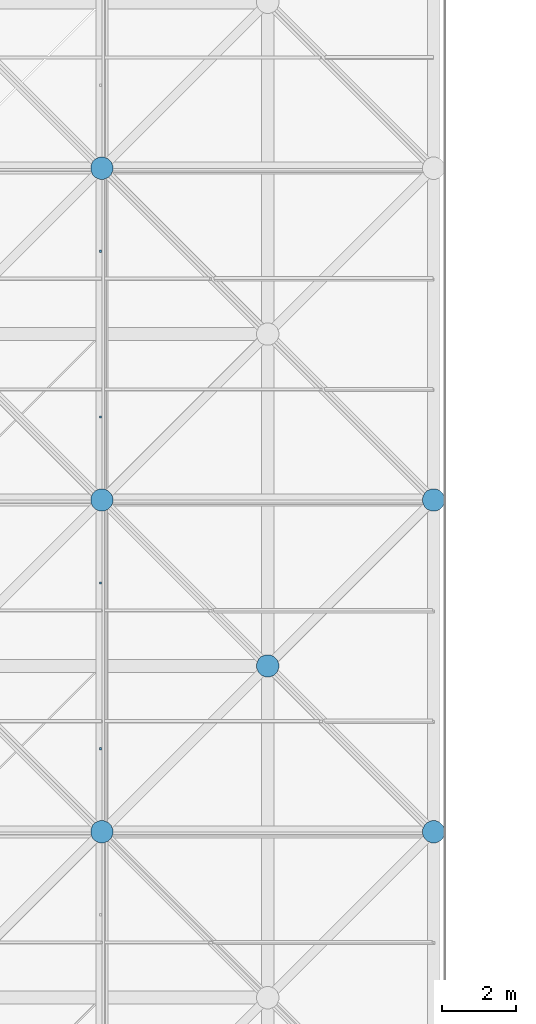
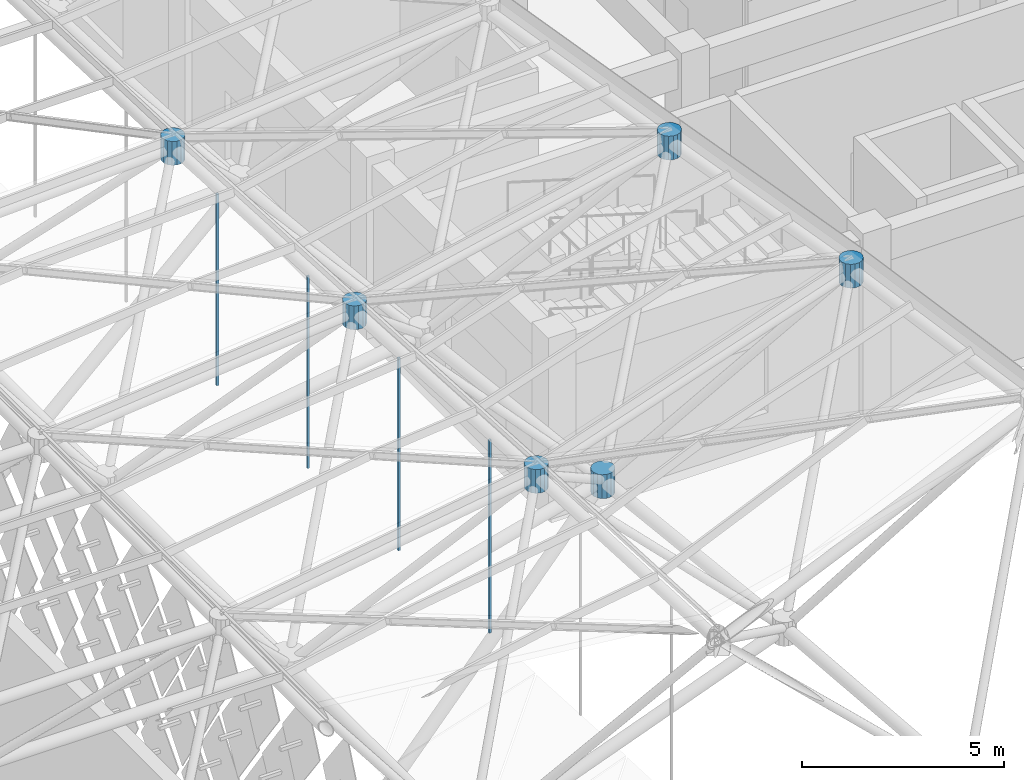
# One storey, part 336 of 437: 10 discrete accessories.
"""IFC4 building model written with IfcOpenShell, lengths in metres."""

from ifc_helpers import new_model, si_unit, direction, frame, origin, place, context, subcontext, project, spatial, polyline, outline, extrude, material, type_object, element, save


model = new_model("IFC4")

# Units and contexts
model_context = context("Model", 3, precision=1e-05, world=origin(), true_north=direction((0.0, 1.0)))
body_context = subcontext(model_context, "Body", "Model", "MODEL_VIEW")
ifc_project = project(units=[si_unit("LENGTHUNIT", "METRE"), si_unit("AREAUNIT", "SQUARE_METRE"), si_unit("VOLUMEUNIT", "CUBIC_METRE"), si_unit("PLANEANGLEUNIT", "RADIAN"), si_unit("MASSUNIT", "GRAM", prefix="KILO")], contexts=[model_context])

# Site, building, storey
site_placement = place(None, origin())
site = spatial("IfcSite", under=ifc_project, at=site_placement, CompositionType="ELEMENT")
building_placement = place(site_placement, origin())
building = spatial("IfcBuilding", under=site, at=building_placement, Name="Opaline Strait Convention Centre", CompositionType="ELEMENT")
storey_placement = place(building_placement, frame((0.0, 0.0, 11.5)))
storey = spatial("IfcBuildingStorey", under=building, at=storey_placement, Name="L02", CompositionType="ELEMENT", Elevation=11.5)

# Discrete accessories
ifc_material_1 = material(Name="Steel Q355B", Category="steel")
discrete_accessory_type_1 = type_object("IfcDiscreteAccessoryType", Name="Soffit hanger 60x60 steel", PredefinedType="BRACKET", material=ifc_material_1)
discrete_accessory_1_placement = place(storey_placement, frame((0.0, 0.0, 13.247802734375)))
element("IfcDiscreteAccessory", 1, at=discrete_accessory_1_placement, inside=storey, type_object=discrete_accessory_type_1, Name="Soffit hanger", PredefinedType="BRACKET", context=body_context, shape_type="SweptSolid", body=[
    extrude(outline(polyline([(265.43505859375, 69.719970703125), (265.4951171875, 69.719970703125), (265.4951171875, 69.780029296875), (265.43505859375, 69.780029296875), (265.43505859375, 69.719970703125)])), origin(), (0.0, 0.0, 1.0), 5.834716796875),
])
discrete_accessory_2_placement = place(storey_placement, frame((0.0, 0.0, 13.0087890625)))
element("IfcDiscreteAccessory", 2, at=discrete_accessory_2_placement, inside=storey, type_object=discrete_accessory_type_1, Name="Soffit hanger", PredefinedType="BRACKET", context=body_context, shape_type="SweptSolid", body=[
    extrude(outline(polyline([(265.43505859375, 74.219970703125), (265.4951171875, 74.219970703125), (265.4951171875, 74.280029296875), (265.43505859375, 74.280029296875), (265.43505859375, 74.219970703125)])), origin(), (0.0, 0.0, 1.0), 5.81787109375),
])
discrete_accessory_3_placement = place(storey_placement, frame((0.0, 0.0, 12.7626953125)))
element("IfcDiscreteAccessory", 3, at=discrete_accessory_3_placement, inside=storey, type_object=discrete_accessory_type_1, Name="Soffit hanger", PredefinedType="BRACKET", context=body_context, shape_type="SweptSolid", body=[
    extrude(outline(polyline([(265.43505859375, 78.719970703125), (265.4951171875, 78.719970703125), (265.4951171875, 78.780029296875), (265.43505859375, 78.780029296875), (265.43505859375, 78.719970703125)])), origin(), (0.0, 0.0, 1.0), 5.814208984375),
])
discrete_accessory_4_placement = place(storey_placement, frame((0.0, 0.0, 12.537109375)))
element("IfcDiscreteAccessory", 4, at=discrete_accessory_4_placement, inside=storey, type_object=discrete_accessory_type_1, Name="Soffit hanger", PredefinedType="BRACKET", context=body_context, shape_type="SweptSolid", body=[
    extrude(outline(polyline([(265.43505859375, 83.219970703125), (265.4951171875, 83.219970703125), (265.4951171875, 83.280029296875), (265.43505859375, 83.280029296875), (265.43505859375, 83.219970703125)])), origin(), (0.0, 0.0, 1.0), 5.795654296875),
])
ifc_material_2 = material(Name="Cast steel ZG300-500H (300 MPa)", Category="steel")
discrete_accessory_type_2 = type_object("IfcDiscreteAccessoryType", Name="Space frame node hub D600", PredefinedType="USERDEFINED", material=ifc_material_2)
discrete_accessory_5_placement = place(storey_placement, frame((0.0, 0.0, 19.012939453125)))
element("IfcDiscreteAccessory", 5, at=discrete_accessory_5_placement, inside=storey, type_object=discrete_accessory_type_2, Name="Top node 21/4", ObjectType="NODE HUB", PredefinedType="USERDEFINED", context=body_context, shape_type="SweptSolid", body=[
    extrude(outline(polyline([(265.800048828125, 67.559814453125), (265.75439453125, 67.669921875), (265.669921875, 67.75439453125), (265.559814453125, 67.800048828125), (265.440185546875, 67.800048828125), (265.330078125, 67.75439453125), (265.24560546875, 67.669921875), (265.199951171875, 67.559814453125), (265.199951171875, 67.440185546875), (265.24560546875, 67.330078125), (265.330078125, 67.24560546875), (265.440185546875, 67.199951171875), (265.559814453125, 67.199951171875), (265.669921875, 67.24560546875), (265.75439453125, 67.330078125), (265.800048828125, 67.440185546875), (265.800048828125, 67.559814453125)])), origin(), (0.0, 0.0, 1.0), 0.719970703125),
])
discrete_accessory_6_placement = place(storey_placement, frame((0.0, 0.0, 18.501220703125)))
element("IfcDiscreteAccessory", 6, at=discrete_accessory_6_placement, inside=storey, type_object=discrete_accessory_type_2, Name="Top node 21/5", ObjectType="NODE HUB", PredefinedType="USERDEFINED", context=body_context, shape_type="SweptSolid", body=[
    extrude(outline(polyline([(265.800048828125, 76.559814453125), (265.75439453125, 76.669921875), (265.669921875, 76.75439453125), (265.559814453125, 76.800048828125), (265.440185546875, 76.800048828125), (265.330078125, 76.75439453125), (265.24560546875, 76.669921875), (265.199951171875, 76.559814453125), (265.199951171875, 76.440185546875), (265.24560546875, 76.330078125), (265.330078125, 76.24560546875), (265.440185546875, 76.199951171875), (265.559814453125, 76.199951171875), (265.669921875, 76.24560546875), (265.75439453125, 76.330078125), (265.800048828125, 76.440185546875), (265.800048828125, 76.559814453125)])), origin(), (0.0, 0.0, 1.0), 0.719970703125),
])
discrete_accessory_7_placement = place(storey_placement, frame((0.0, 0.0, 18.013427734375)))
element("IfcDiscreteAccessory", 7, at=discrete_accessory_7_placement, inside=storey, type_object=discrete_accessory_type_2, Name="Top node 21/6", ObjectType="NODE HUB", PredefinedType="USERDEFINED", context=body_context, shape_type="SweptSolid", body=[
    extrude(outline(polyline([(265.800048828125, 85.559814453125), (265.75439453125, 85.669921875), (265.669921875, 85.75439453125), (265.559814453125, 85.800048828125), (265.440185546875, 85.800048828125), (265.330078125, 85.75439453125), (265.24560546875, 85.669921875), (265.199951171875, 85.559814453125), (265.199951171875, 85.440185546875), (265.24560546875, 85.330078125), (265.330078125, 85.24560546875), (265.440185546875, 85.199951171875), (265.559814453125, 85.199951171875), (265.669921875, 85.24560546875), (265.75439453125, 85.330078125), (265.800048828125, 85.440185546875), (265.800048828125, 85.559814453125)])), origin(), (0.0, 0.0, 1.0), 0.719970703125),
])
discrete_accessory_8_placement = place(storey_placement, frame((0.0, 0.0, 22.0634765625)))
element("IfcDiscreteAccessory", 8, at=discrete_accessory_8_placement, inside=storey, type_object=discrete_accessory_type_2, Name="Top node 22/4", ObjectType="NODE HUB", PredefinedType="USERDEFINED", context=body_context, shape_type="SweptSolid", body=[
    extrude(outline(polyline([(274.800048828125, 67.559814453125), (274.75439453125, 67.669921875), (274.669921875, 67.75439453125), (274.559814453125, 67.800048828125), (274.440185546875, 67.800048828125), (274.330078125, 67.75439453125), (274.24560546875, 67.669921875), (274.199951171875, 67.559814453125), (274.199951171875, 67.440185546875), (274.24560546875, 67.330078125), (274.330078125, 67.24560546875), (274.440185546875, 67.199951171875), (274.559814453125, 67.199951171875), (274.669921875, 67.24560546875), (274.75439453125, 67.330078125), (274.800048828125, 67.440185546875), (274.800048828125, 67.559814453125)])), origin(), (0.0, 0.0, 1.0), 0.719970703125),
])
discrete_accessory_9_placement = place(storey_placement, frame((0.0, 0.0, 20.478759765625)))
element("IfcDiscreteAccessory", 9, at=discrete_accessory_9_placement, inside=storey, type_object=discrete_accessory_type_2, Name="Top node 22/5", ObjectType="NODE HUB", PredefinedType="USERDEFINED", context=body_context, shape_type="SweptSolid", body=[
    extrude(outline(polyline([(274.800048828125, 76.559814453125), (274.75439453125, 76.669921875), (274.669921875, 76.75439453125), (274.559814453125, 76.800048828125), (274.440185546875, 76.800048828125), (274.330078125, 76.75439453125), (274.24560546875, 76.669921875), (274.199951171875, 76.559814453125), (274.199951171875, 76.440185546875), (274.24560546875, 76.330078125), (274.330078125, 76.24560546875), (274.440185546875, 76.199951171875), (274.559814453125, 76.199951171875), (274.669921875, 76.24560546875), (274.75439453125, 76.330078125), (274.800048828125, 76.440185546875), (274.800048828125, 76.559814453125)])), origin(), (0.0, 0.0, 1.0), 0.719970703125),
])
discrete_accessory_10_placement = place(storey_placement, frame((0.0, 0.0, 14.55078125)))
element("IfcDiscreteAccessory", 10, at=discrete_accessory_10_placement, inside=storey, type_object=discrete_accessory_type_2, Name="Bottom node 21/4", ObjectType="NODE HUB", PredefinedType="USERDEFINED", context=body_context, shape_type="SweptSolid", body=[
    extrude(outline(polyline([(270.300048828125, 72.059814453125), (270.25439453125, 72.169921875), (270.169921875, 72.25439453125), (270.059814453125, 72.300048828125), (269.940185546875, 72.300048828125), (269.830078125, 72.25439453125), (269.74560546875, 72.169921875), (269.699951171875, 72.059814453125), (269.699951171875, 71.940185546875), (269.74560546875, 71.830078125), (269.830078125, 71.74560546875), (269.940185546875, 71.699951171875), (270.059814453125, 71.699951171875), (270.169921875, 71.74560546875), (270.25439453125, 71.830078125), (270.300048828125, 71.940185546875), (270.300048828125, 72.059814453125)])), origin(), (0.0, 0.0, 1.0), 0.719970703125),
])

save(model, "model.ifc")
